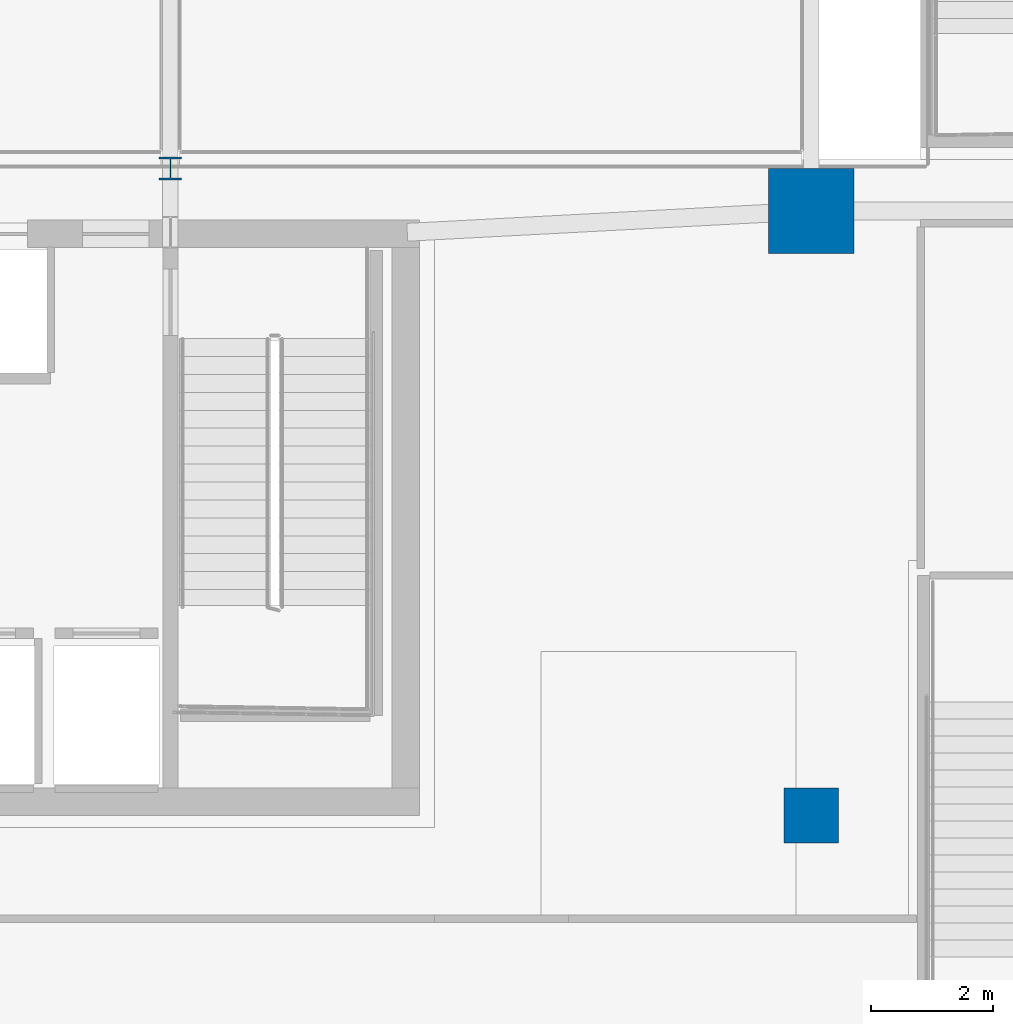
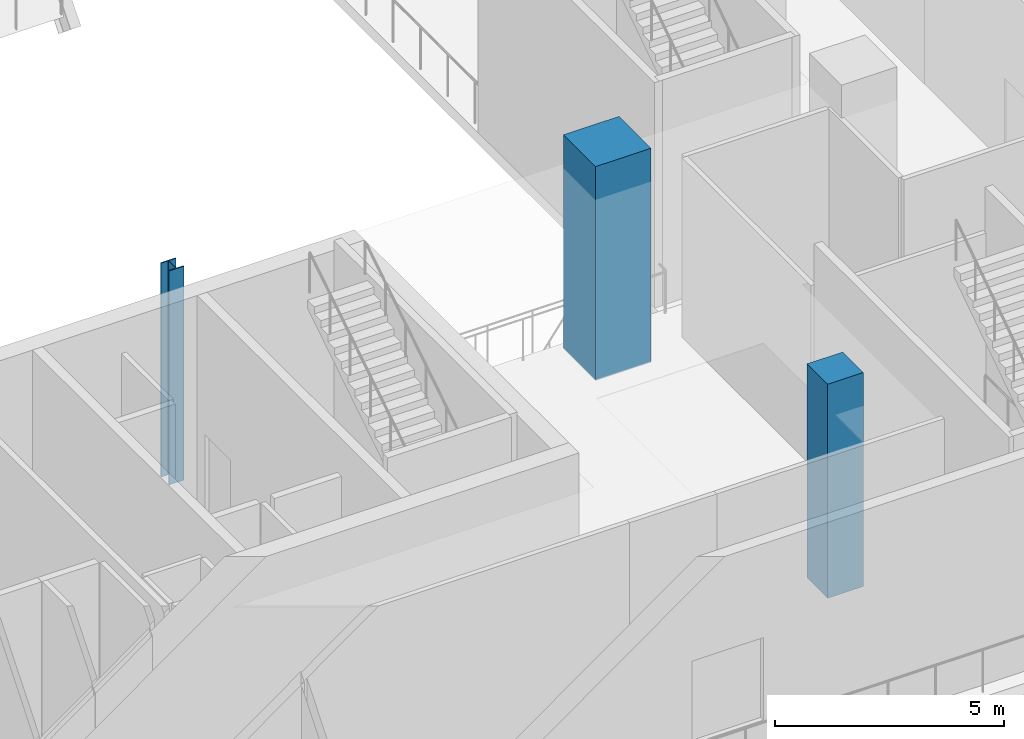
# One storey, part 2 of 30: 3 columns.
"""IFC4 building model written with IfcOpenShell, lengths in metres."""

from ifc_helpers import new_model, si_unit, direction, frame, origin, origin_2d, place, context, subcontext, project, spatial, rectangle, i_section, extrude, material, material_profile, profile_set, type_object, element, save


model = new_model("IFC4")

# Units and contexts
model_context = context("Model", 3, precision=1e-05, world=origin(), true_north=direction((0.0, 1.0)))
body_context = subcontext(model_context, "Body", "Model", "MODEL_VIEW")
ifc_project = project(units=[si_unit("LENGTHUNIT", "METRE"), si_unit("AREAUNIT", "SQUARE_METRE"), si_unit("VOLUMEUNIT", "CUBIC_METRE"), si_unit("PLANEANGLEUNIT", "RADIAN"), si_unit("MASSUNIT", "GRAM", prefix="KILO")], contexts=[model_context])

# Site, building, storey
site_placement = place(None, origin())
site = spatial("IfcSite", under=ifc_project, at=site_placement, CompositionType="ELEMENT")
building_placement = place(site_placement, origin())
building = spatial("IfcBuilding", under=site, at=building_placement, Name="Ndaravel Arena Tower", CompositionType="ELEMENT")
storey_placement = place(building_placement, frame((0.0, 0.0, 6.0)))
storey = spatial("IfcBuildingStorey", under=building, at=storey_placement, Name="L01", CompositionType="ELEMENT", Elevation=6.0)

# Columns
ifc_material_1 = material(Name="Concrete C40/50", Category="concrete")
ifc_material_profile_1 = material_profile(ifc_material_1, rectangle(XDim=0.89990234375, YDim=0.89990234375, at=origin_2d()), Name="RC 900x900")
ifc_profile_set_1 = profile_set([ifc_material_profile_1], Name="Concrete C40/50")
column_type_1 = type_object("IfcColumnType", Name="COL-BSMT-RC900", PredefinedType="COLUMN", material=ifc_profile_set_1)
column_1_placement = place(storey_placement, frame((64.0, 5.39990234375, 0.0), z_axis=(0.0, 0.0, 1.0), x_axis=(1.0, 0.0, 0.0)))
element("IfcColumn", 1, at=column_1_placement, inside=storey, type_object=column_type_1, Name="L01 South Concourse Column 02", PredefinedType="COLUMN", context=body_context, shape_type="SweptSolid", body=[
    extrude(rectangle(XDim=0.89990234375, YDim=0.89990234375, at=origin_2d()), origin(), (0.0, 0.0, 1.0), 5.699951171875),
])
ifc_material_2 = material(Name="Steel S355", Category="steel")
ifc_material_profile_2 = material_profile(ifc_material_2, i_section(OverallWidth=0.374755859375, OverallDepth=0.37451171875, WebThickness=0.0166015625, FlangeThickness=0.027099609375, FilletRadius=0.01513671875, at=origin_2d()), Name="UC 356x368x202")
ifc_profile_set_2 = profile_set([ifc_material_profile_2], Name="Steel S355")
column_type_2 = type_object("IfcColumnType", Name="COL-CRN-UC202", PredefinedType="COLUMN", material=ifc_profile_set_2)
column_2_placement = place(storey_placement, frame((53.449951171875, 16.050048828125, 0.0), z_axis=(0.0, 0.0, 1.0), x_axis=(1.0, 0.0, 0.0)))
element("IfcColumn", 2, at=column_2_placement, inside=storey, type_object=column_type_2, Name="L01 South Stand Raker Column 4", PredefinedType="COLUMN", context=body_context, shape_type="SweptSolid", body=[
    extrude(i_section(OverallWidth=0.374755859375, OverallDepth=0.37451171875, WebThickness=0.0166015625, FlangeThickness=0.027099609375, FilletRadius=0.01513671875, at=origin_2d()), origin(), (0.0, 0.0, 1.0), 5.699951171875),
])
ifc_material_3 = material(Name="Concrete C60/75", Category="concrete")
ifc_material_profile_3 = material_profile(ifc_material_3, rectangle(XDim=1.39990234375, YDim=1.39990234375, at=origin_2d()), Name="RC 1400x1400")
ifc_profile_set_3 = profile_set([ifc_material_profile_3], Name="Concrete C60/75")
column_type_3 = type_object("IfcColumnType", Name="COL-MEGA-RC1400", PredefinedType="COLUMN", material=ifc_profile_set_3)
column_3_placement = place(storey_placement, frame((64.0, 15.35009765625, 0.0), z_axis=(0.0, 0.0, 1.0), x_axis=(1.0, 0.0, 0.0)))
element("IfcColumn", 3, at=column_3_placement, inside=storey, type_object=column_type_3, Name="L01 Arena Ring Mega Column 12", PredefinedType="COLUMN", context=body_context, shape_type="SweptSolid", body=[
    extrude(rectangle(XDim=1.39990234375, YDim=1.39990234375, at=origin_2d()), origin(), (0.0, 0.0, 1.0), 5.699951171875),
])

save(model, "model.ifc")
